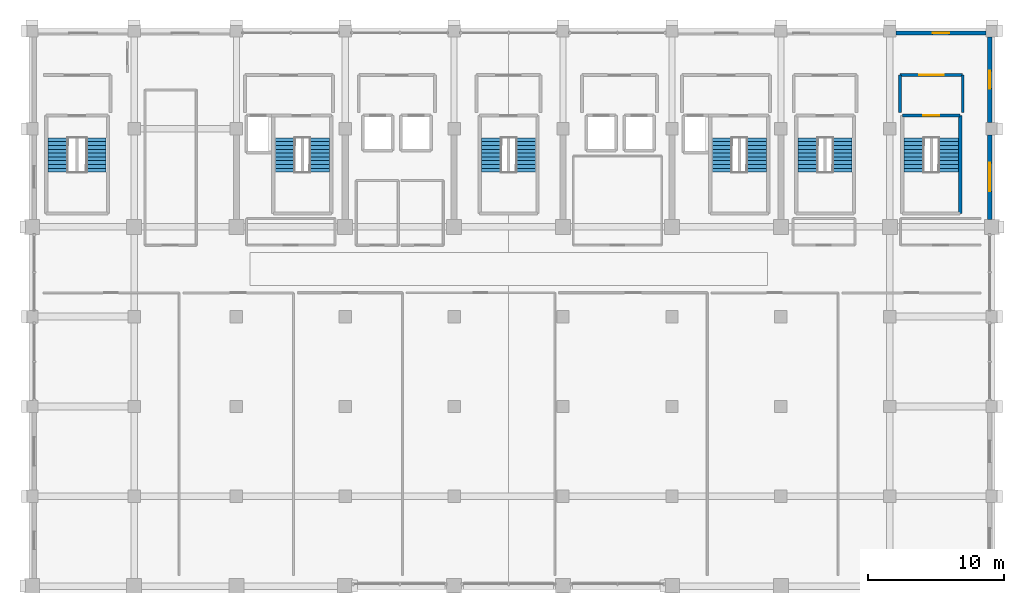
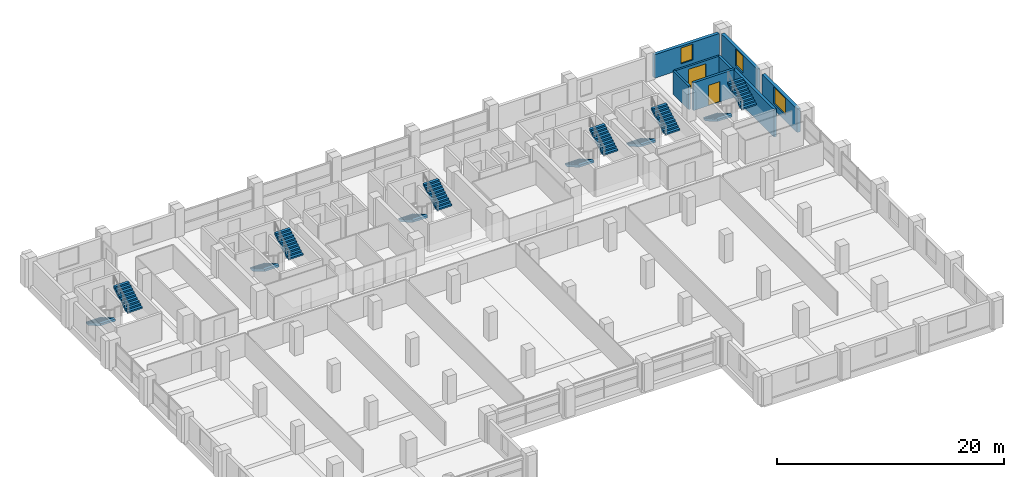
# One storey, part 20 of 22: 12 stair flights, 8 walls, 3 windows, 2 doors, 5 openings, 6 elements without a shape of their own.
"""IFC4 building model written with IfcOpenShell, lengths in metres."""

from ifc_helpers import new_model, si_unit, direction, frame, frame_2d, origin, place, context, subcontext, project, spatial, polyline, rectangle, outline, extrude, material, layer, layer_set, type_object, element, fill, aggregate, save


model = new_model("IFC4")

# Units and contexts
model_context = context("Model", 3, precision=1e-05, world=origin(), true_north=direction((0.0, 1.0)))
body_context = subcontext(model_context, "Body", "Model", "MODEL_VIEW")
ifc_project = project(units=[si_unit("LENGTHUNIT", "METRE"), si_unit("AREAUNIT", "SQUARE_METRE"), si_unit("VOLUMEUNIT", "CUBIC_METRE"), si_unit("PLANEANGLEUNIT", "RADIAN"), si_unit("MASSUNIT", "GRAM", prefix="KILO")], contexts=[model_context])

# Site, building, storey
site_placement = place(None, origin())
site = spatial("IfcSite", under=ifc_project, at=site_placement, CompositionType="ELEMENT")
building_placement = place(site_placement, origin())
building = spatial("IfcBuilding", under=site, at=building_placement, Name="Akrevak Sports Hall", CompositionType="ELEMENT")
storey_placement = place(building_placement, frame((0.0, 0.0, 30.800048828125)))
storey = spatial("IfcBuildingStorey", under=building, at=storey_placement, Name="L06", CompositionType="ELEMENT", Elevation=30.800048828125)

# Wall, opening, window
ifc_material_1 = material(Name="Limestone Ashlar", Category="stone")
ifc_layer_1 = layer(ifc_material_1, 0.070068359375, Name="Limestone Ashlar")
ifc_material_2 = material(Name="Mineral Wool Thermal Insulation", Category="insulation")
ifc_layer_2 = layer(ifc_material_2, 0.090087890625, Name="Mineral Wool Thermal Insulation")
ifc_material_3 = material(Name="Concrete C40/50", Category="concrete")
ifc_layer_3 = layer(ifc_material_3, 0.159912109375, Name="Concrete C40/50")
ifc_layer_set_1 = layer_set([ifc_layer_1, ifc_layer_2, ifc_layer_3], Name="Limestone Ashlar / Mineral Wool Thermal Insulation / Concrete C40/50")
wall_type_1 = type_object("IfcWallType", Name="ARC-WL-EXT-320", PredefinedType="SOLIDWALL", material=ifc_layer_set_1)
wall_1_placement = place(storey_placement, frame((115.340087890625, 55.75, 0.0), z_axis=(0.0, 0.0, 1.0), x_axis=(0.0, 1.0, 0.0)))
wall_1 = element("IfcWall", 1, at=wall_1_placement, inside=storey, type_object=wall_type_1, Name="Tower Stone Facade Wall L06-E17", PredefinedType="SOLIDWALL", context=body_context, shape_type="SweptSolid", body=[
    extrude(rectangle(XDim=6.199951171875, YDim=0.320068359375, at=frame_2d((3.10009765625, 0.0))), origin(), (0.0, 0.0, 1.0), 2.530029296875),
])
opening_1_placement = place(wall_1_placement, frame((2.050048828125, 0.0, 0.6201171875)))
opening_1 = element("IfcOpeningElement", 2, at=opening_1_placement, cuts=wall_1, Name="Opening WN-55", PredefinedType="OPENING", context=body_context, shape_type="SweptSolid", body=[
    extrude(rectangle(XDim=2.10009765625, YDim=1.81005859375, at=frame_2d((1.050048828125, 0.905029296875))), frame((0.0, 0.171875, 0.0), z_axis=(0.0, -1.0, 0.0), x_axis=(1.0, 0.0, 0.0)), (0.0, 0.0, 1.0), 0.343994140625),
])
ifc_material_4 = material(Name="Thermally Broken Bronze Frame & Double Low-E Glass", Category="glass")
window_type_1 = type_object("IfcWindowType", Name="ARC-WIN-SZ-2100x1810", PartitioningType="SINGLE_PANEL", PredefinedType="WINDOW", material=ifc_material_4)
window_1_placement = place(opening_1_placement, origin())
window_1 = element("IfcWindow", 3, at=window_1_placement, inside=storey, type_object=window_type_1, Name="Tower Window L06-E17", OverallHeight=1.81005859375, OverallWidth=2.10009765625, PartitioningType="SINGLE_PANEL", PredefinedType="WINDOW", context=body_context, shape_type="SweptSolid", body=[
    extrude(rectangle(XDim=2.10009765625, YDim=1.81005859375, at=frame_2d((1.050048828125, 0.905029296875))), frame((0.0, 0.030029296875, 0.0), z_axis=(0.0, -1.0, 0.0), x_axis=(1.0, 0.0, 0.0)), (0.0, 0.0, 1.0), 0.06005859375),
])
fill(opening_1, window_1)

wall_2_placement = place(storey_placement, frame((115.340087890625, 62.85009765625, 0.0), z_axis=(0.0, 0.0, 1.0), x_axis=(0.0, 1.0, 0.0)))
wall_2 = element("IfcWall", 4, at=wall_2_placement, inside=storey, type_object=wall_type_1, Name="Tower Stone Facade Wall L06-E18", PredefinedType="SOLIDWALL", context=body_context, shape_type="SweptSolid", body=[
    extrude(rectangle(XDim=6.2998046875, YDim=0.320068359375, at=frame_2d((3.14990234375, 0.0))), origin(), (0.0, 0.0, 1.0), 2.530029296875),
])
opening_2_placement = place(wall_2_placement, frame((2.5, 0.0, 0.6201171875)))
opening_2 = element("IfcOpeningElement", 5, at=opening_2_placement, cuts=wall_2, Name="Opening WN-12", PredefinedType="OPENING", context=body_context, shape_type="SweptSolid", body=[
    extrude(rectangle(XDim=1.300048828125, YDim=1.800048828125, at=frame_2d((0.64990234375, 0.89990234375))), frame((0.0, 0.171875, 0.0), z_axis=(0.0, -1.0, 0.0), x_axis=(1.0, 0.0, 0.0)), (0.0, 0.0, 1.0), 0.343994140625),
])
window_type_2 = type_object("IfcWindowType", Name="ARC-WIN-TW-130x180", PartitioningType="SINGLE_PANEL", PredefinedType="WINDOW", material=ifc_material_4)
window_2_placement = place(opening_2_placement, origin())
window_2 = element("IfcWindow", 6, at=window_2_placement, inside=storey, type_object=window_type_2, Name="Tower Window L06-E18", OverallHeight=1.800048828125, OverallWidth=1.300048828125, PartitioningType="SINGLE_PANEL", PredefinedType="WINDOW", context=body_context, shape_type="SweptSolid", body=[
    extrude(rectangle(XDim=1.300048828125, YDim=1.800048828125, at=frame_2d((0.64990234375, 0.89990234375))), frame((0.0, 0.030029296875, 0.0), z_axis=(0.0, -1.0, 0.0), x_axis=(1.0, 0.0, 0.0)), (0.0, 0.0, 1.0), 0.06005859375),
])
fill(opening_2, window_2)

wall_3_placement = place(storey_placement, frame((115.050048828125, 69.43994140625, 0.0), z_axis=(0.0, 0.0, 1.0), x_axis=(-1.0, 0.0, 0.0)))
wall_3 = element("IfcWall", 7, at=wall_3_placement, inside=storey, type_object=wall_type_1, Name="Tower Stone Facade Wall L06-N19", PredefinedType="SOLIDWALL", context=body_context, shape_type="SweptSolid", body=[
    extrude(rectangle(XDim=6.60009765625, YDim=0.320068359375, at=frame_2d((3.300048828125, 0.0))), origin(), (0.0, 0.0, 1.0), 2.530029296875),
])
opening_3_placement = place(wall_3_placement, frame((2.699951171875, 0.0, 0.6201171875)))
opening_3 = element("IfcOpeningElement", 8, at=opening_3_placement, cuts=wall_3, Name="Opening WN-13", PredefinedType="OPENING", context=body_context, shape_type="SweptSolid", body=[
    extrude(rectangle(XDim=1.199951171875, YDim=1.699951171875, at=frame_2d((0.60009765625, 0.85009765625))), frame((0.0, 0.171875, 0.0), z_axis=(0.0, -1.0, 0.0), x_axis=(1.0, 0.0, 0.0)), (0.0, 0.0, 1.0), 0.343994140625),
])
window_type_3 = type_object("IfcWindowType", Name="ARC-WIN-TW-120x170", PartitioningType="SINGLE_PANEL", PredefinedType="WINDOW", material=ifc_material_4)
window_3_placement = place(opening_3_placement, origin())
window_3 = element("IfcWindow", 9, at=window_3_placement, inside=storey, type_object=window_type_3, Name="Tower Window L06-N19", OverallHeight=1.699951171875, OverallWidth=1.199951171875, PartitioningType="SINGLE_PANEL", PredefinedType="WINDOW", context=body_context, shape_type="SweptSolid", body=[
    extrude(rectangle(XDim=1.199951171875, YDim=1.699951171875, at=frame_2d((0.60009765625, 0.85009765625))), frame((0.0, 0.030029296875, 0.0), z_axis=(0.0, -1.0, 0.0), x_axis=(1.0, 0.0, 0.0)), (0.0, 0.0, 1.0), 0.06005859375),
])
fill(opening_3, window_3)

# Wall, opening, door
ifc_material_5 = material(Name="Autoclaved Aerated Masonry Block", Category="masonry")
ifc_layer_4 = layer(ifc_material_5, 0.199951171875, Name="Autoclaved Aerated Masonry Block")
ifc_layer_set_2 = layer_set([ifc_layer_4], Name="Autoclaved Aerated Masonry Block")
wall_type_2 = type_object("IfcWallType", Name="ARC-WL-PRT-200", PredefinedType="PARTITIONING", material=ifc_layer_set_2)
wall_4_placement = place(storey_placement, frame((108.75, 66.35009765625, 0.0), z_axis=(0.0, 0.0, 1.0), x_axis=(1.0, 0.0, 0.0)))
wall_4 = element("IfcWall", 10, at=wall_4_placement, inside=storey, type_object=wall_type_2, Name="Interior Partition East Transfer Stair ST11 Vestibule L06 (N)", PredefinedType="PARTITIONING", context=body_context, shape_type="SweptSolid", body=[
    extrude(rectangle(XDim=4.60009765625, YDim=0.199951171875, at=frame_2d((2.300048828125, 0.0))), origin(), (0.0, 0.0, 1.0), 2.530029296875),
])
opening_4_placement = place(wall_4_placement, frame((1.39990234375, 0.0, 0.0)))
opening_4 = element("IfcOpeningElement", 11, at=opening_4_placement, cuts=wall_4, Name="Opening FD-02", PredefinedType="OPENING", context=body_context, shape_type="SweptSolid", body=[
    extrude(rectangle(XDim=1.800048828125, YDim=2.199951171875, at=frame_2d((0.89990234375, 1.10009765625))), frame((0.0, 0.11181640625, 0.0), z_axis=(0.0, -1.0, 0.0), x_axis=(1.0, 0.0, 0.0)), (0.0, 0.0, 1.0), 0.223876953125),
])
ifc_material_6 = material(Name="Fire-Rated Galvanized Door Steel", Category="steel")
door_type_1 = type_object("IfcDoorType", Name="ARC-DR-FIRE-180x220", OperationType="DOUBLE_DOOR_SINGLE_SWING", PredefinedType="DOOR", material=ifc_material_6)
door_1_placement = place(opening_4_placement, frame((1.800048828125, 0.0, 0.0), z_axis=(0.0, 0.0, 1.0), x_axis=(-1.0, 0.0, 0.0)))
door_1 = element("IfcDoor", 12, at=door_1_placement, inside=storey, type_object=door_type_1, Name="Door to East Transfer Stair ST11 Vestibule L06", OperationType="DOUBLE_DOOR_SINGLE_SWING", OverallHeight=2.199951171875, OverallWidth=1.800048828125, PredefinedType="DOOR", context=body_context, shape_type="SweptSolid", body=[
    extrude(rectangle(XDim=1.800048828125, YDim=2.199951171875, at=frame_2d((0.89990234375, 1.10009765625))), frame((0.0, 0.02490234375, 0.0), z_axis=(0.0, -1.0, 0.0), x_axis=(1.0, 0.0, 0.0)), (0.0, 0.0, 1.0), 0.050048828125),
])
fill(opening_4, door_1)

# Walls
for number, where, z_axis, x_axis, name in (
    (13, (108.75, 63.60009765625, 0.0), (0.0, 0.0, 1.0), (0.0, 1.0, 0.0), "Interior Partition East Transfer Stair ST11 Vestibule L06 (W)"),
    (14, (113.35009765625, 63.60009765625, 0.0), (0.0, 0.0, 1.0), (0.0, 1.0, 0.0), "Interior Partition East Transfer Stair ST11 Vestibule L06 (E)"),
):
    element("IfcWall", number, at=place(storey_placement, frame(where, z_axis=z_axis, x_axis=x_axis)), inside=storey, type_object=wall_type_2, Name=name, PredefinedType="PARTITIONING", context=body_context, shape_type="SweptSolid", body=[
        extrude(rectangle(XDim=2.75, YDim=0.199951171875, at=frame_2d((1.375, 0.0))), origin(), (0.0, 0.0, 1.0), 2.530029296875),
    ])

# Wall, opening, door
ifc_material_7 = material(Name="Concrete C50/60", Category="concrete")
ifc_layer_5 = layer(ifc_material_7, 0.25, Name="Concrete C50/60")
ifc_layer_set_3 = layer_set([ifc_layer_5], Name="Concrete C50/60")
wall_type_3 = type_object("IfcWallType", Name="STR-WL-STAIR-250", PredefinedType="SHEAR", material=ifc_layer_set_3)
wall_5_placement = place(storey_placement, frame((113.175048828125, 63.375, 0.0), z_axis=(0.0, 0.0, 1.0), x_axis=(-1.0, 0.0, 0.0)))
wall_5 = element("IfcWall", 15, at=wall_5_placement, inside=storey, type_object=wall_type_3, Name="Stair Core ST11 Shear Wall N (L06)", PredefinedType="SHEAR", context=body_context, shape_type="SweptSolid", body=[
    extrude(rectangle(XDim=4.25, YDim=0.25, at=frame_2d((2.125, 0.0))), origin(), (0.0, 0.0, 1.0), 3.0),
])
opening_5_placement = place(wall_5_placement, frame((1.52490234375, 0.0, 0.0)))
opening_5 = element("IfcOpeningElement", 16, at=opening_5_placement, cuts=wall_5, Name="Opening SD-02", PredefinedType="OPENING", context=body_context, shape_type="SweptSolid", body=[
    extrude(rectangle(XDim=1.199951171875, YDim=2.199951171875, at=frame_2d((0.60009765625, 1.10009765625))), frame((0.0, 0.136962890625, 0.0), z_axis=(0.0, -1.0, 0.0), x_axis=(1.0, 0.0, 0.0)), (0.0, 0.0, 1.0), 0.27392578125),
])
door_type_2 = type_object("IfcDoorType", Name="ARC-DR-STAIR-120x220", OperationType="NOTDEFINED", PredefinedType="DOOR", material=ifc_material_6)
door_2_placement = place(opening_5_placement, origin())
door_2 = element("IfcDoor", 17, at=door_2_placement, inside=storey, type_object=door_type_2, Name="Exit Stair ST11 Door (L06)", OperationType="SINGLE_SWING_RIGHT", OverallHeight=2.199951171875, OverallWidth=1.199951171875, PredefinedType="DOOR", context=body_context, shape_type="SweptSolid", body=[
    extrude(rectangle(XDim=1.199951171875, YDim=2.199951171875, at=frame_2d((0.60009765625, 1.10009765625))), frame((0.0, 0.02490234375, 0.0), z_axis=(0.0, -1.0, 0.0), x_axis=(1.0, 0.0, 0.0)), (0.0, 0.0, 1.0), 0.050048828125),
])
fill(opening_5, door_2)

# Wall
wall_6_placement = place(storey_placement, frame((113.175048828125, 56.175048828125, 0.0), z_axis=(0.0, 0.0, 1.0), x_axis=(0.0, 1.0, 0.0)))
element("IfcWall", 18, at=wall_6_placement, inside=storey, type_object=wall_type_3, Name="Stair Core ST11 Shear Wall E (L06)", PredefinedType="SHEAR", context=body_context, shape_type="SweptSolid", body=[
    extrude(rectangle(XDim=7.199951171875, YDim=0.25, at=frame_2d((3.60009765625, 0.0))), origin(), (0.0, 0.0, 1.0), 3.0),
])

# Stair, stair flights
stair_type_1 = type_object("IfcStairType", Name="ARC-STR-DOG-325", PredefinedType="HALF_TURN_STAIR", material=ifc_material_3)
stair_1_placement = place(storey_placement, origin())
stair_1 = element("IfcStair", 19, at=stair_1_placement, inside=storey, type_object=stair_type_1, Name="Protected Exit Stair ST1 (L06 to L07)", PredefinedType="HALF_TURN_STAIR")
stair_flight_type_1 = type_object("IfcStairFlightType", Name="ARC-FLT-165-163", PredefinedType="STRAIGHT", material=ifc_material_3)
stair_flight_1_placement = place(storey_placement, frame((63.610107421875, 61.735107421875, 0.0), z_axis=(0.0, 0.0, 1.0), x_axis=(0.0, -1.0, 0.0)))
stair_flight_1 = element("IfcStairFlight", 20, at=stair_flight_1_placement, type_object=stair_flight_type_1, Name="Stair ST1 Flight 1 (L06)", NumberOfRisers=10, NumberOfTreads=9, PredefinedType="STRAIGHT", RiserHeight=0.1625, TreadLength=0.28, context=body_context, shape_type="SweptSolid", body=[
    extrude(outline(polyline([(0.0, 0.0), (0.0, 0.16259765625), (0.280029296875, 0.16259765625), (0.280029296875, 0.324951171875), (0.56005859375, 0.324951171875), (0.56005859375, 0.487548828125), (0.840087890625, 0.487548828125), (0.840087890625, 0.64990234375), (1.1201171875, 0.64990234375), (1.1201171875, 0.8125), (1.39990234375, 0.8125), (1.39990234375, 0.97509765625), (1.679931640625, 0.97509765625), (1.679931640625, 1.137451171875), (1.9599609375, 1.137451171875), (1.9599609375, 1.300048828125), (2.239990234375, 1.300048828125), (2.239990234375, 1.46240234375), (2.52001953125, 1.46240234375), (2.52001953125, 1.625), (2.52001953125, 1.231201171875), (0.3984375, 0.0), (0.0, 0.0)])), frame((0.0, 0.75, 0.0), z_axis=(0.0, -1.0, 0.0), x_axis=(1.0, 0.0, 0.0)), (0.0, 0.0, 1.0), 1.5),
])
stair_flight_2_placement = place(storey_placement, frame((66.090087890625, 59.215087890625, 1.625), z_axis=(0.0, 0.0, 1.0), x_axis=(0.0, 1.0, 0.0)))
stair_flight_2 = element("IfcStairFlight", 21, at=stair_flight_2_placement, type_object=stair_flight_type_1, Name="Stair ST1 Flight 2 (L06)", NumberOfRisers=10, NumberOfTreads=9, PredefinedType="STRAIGHT", RiserHeight=0.1625, TreadLength=0.28, context=body_context, shape_type="SweptSolid", body=[
    extrude(outline(polyline([(0.0, 0.0), (0.0, 0.16259765625), (0.280029296875, 0.16259765625), (0.280029296875, 0.324951171875), (0.56005859375, 0.324951171875), (0.56005859375, 0.487548828125), (0.840087890625, 0.487548828125), (0.840087890625, 0.64990234375), (1.1201171875, 0.64990234375), (1.1201171875, 0.8125), (1.39990234375, 0.8125), (1.39990234375, 0.97509765625), (1.679931640625, 0.97509765625), (1.679931640625, 1.137451171875), (1.9599609375, 1.137451171875), (1.9599609375, 1.300048828125), (2.239990234375, 1.300048828125), (2.239990234375, 1.46240234375), (2.52001953125, 1.46240234375), (2.52001953125, 1.625), (2.52001953125, 1.231201171875), (0.3984375, 0.0), (0.0, 0.0)])), frame((0.0, 0.75, 0.0), z_axis=(0.0, -1.0, 0.0), x_axis=(1.0, 0.0, 0.0)), (0.0, 0.0, 1.0), 1.5),
])
aggregate(stair_1, [stair_flight_1, stair_flight_2])

stair_2_placement = place(storey_placement, origin())
stair_2 = element("IfcStair", 22, at=stair_2_placement, inside=storey, type_object=stair_type_1, Name="Protected Exit Stair ST2 (L06 to L07)", PredefinedType="HALF_TURN_STAIR")
stair_flight_3_placement = place(storey_placement, frame((95.7099609375, 61.735107421875, 0.0), z_axis=(0.0, 0.0, 1.0), x_axis=(0.0, -1.0, 0.0)))
stair_flight_3 = element("IfcStairFlight", 23, at=stair_flight_3_placement, type_object=stair_flight_type_1, Name="Stair ST2 Flight 1 (L06)", NumberOfRisers=10, NumberOfTreads=9, PredefinedType="STRAIGHT", RiserHeight=0.1625, TreadLength=0.28, context=body_context, shape_type="SweptSolid", body=[
    extrude(outline(polyline([(0.0, 0.0), (0.0, 0.16259765625), (0.280029296875, 0.16259765625), (0.280029296875, 0.324951171875), (0.56005859375, 0.324951171875), (0.56005859375, 0.487548828125), (0.840087890625, 0.487548828125), (0.840087890625, 0.64990234375), (1.1201171875, 0.64990234375), (1.1201171875, 0.8125), (1.39990234375, 0.8125), (1.39990234375, 0.97509765625), (1.679931640625, 0.97509765625), (1.679931640625, 1.137451171875), (1.9599609375, 1.137451171875), (1.9599609375, 1.300048828125), (2.239990234375, 1.300048828125), (2.239990234375, 1.46240234375), (2.52001953125, 1.46240234375), (2.52001953125, 1.625), (2.52001953125, 1.231201171875), (0.3984375, 0.0), (0.0, 0.0)])), frame((0.0, 0.75, 0.0), z_axis=(0.0, -1.0, 0.0), x_axis=(1.0, 0.0, 0.0)), (0.0, 0.0, 1.0), 1.5),
])
stair_flight_4_placement = place(storey_placement, frame((98.18994140625, 59.215087890625, 1.625), z_axis=(0.0, 0.0, 1.0), x_axis=(0.0, 1.0, 0.0)))
stair_flight_4 = element("IfcStairFlight", 24, at=stair_flight_4_placement, type_object=stair_flight_type_1, Name="Stair ST2 Flight 2 (L06)", NumberOfRisers=10, NumberOfTreads=9, PredefinedType="STRAIGHT", RiserHeight=0.1625, TreadLength=0.28, context=body_context, shape_type="SweptSolid", body=[
    extrude(outline(polyline([(0.0, 0.0), (0.0, 0.16259765625), (0.280029296875, 0.16259765625), (0.280029296875, 0.324951171875), (0.56005859375, 0.324951171875), (0.56005859375, 0.487548828125), (0.840087890625, 0.487548828125), (0.840087890625, 0.64990234375), (1.1201171875, 0.64990234375), (1.1201171875, 0.8125), (1.39990234375, 0.8125), (1.39990234375, 0.97509765625), (1.679931640625, 0.97509765625), (1.679931640625, 1.137451171875), (1.9599609375, 1.137451171875), (1.9599609375, 1.300048828125), (2.239990234375, 1.300048828125), (2.239990234375, 1.46240234375), (2.52001953125, 1.46240234375), (2.52001953125, 1.625), (2.52001953125, 1.231201171875), (0.3984375, 0.0), (0.0, 0.0)])), frame((0.0, 0.75, 0.0), z_axis=(0.0, -1.0, 0.0), x_axis=(1.0, 0.0, 0.0)), (0.0, 0.0, 1.0), 1.5),
])
aggregate(stair_2, [stair_flight_3, stair_flight_4])

stair_3_placement = place(storey_placement, origin())
stair_3 = element("IfcStair", 25, at=stair_3_placement, inside=storey, type_object=stair_type_1, Name="Protected Exit Stair ST3 (L06 to L07)", PredefinedType="HALF_TURN_STAIR")
stair_flight_5_placement = place(storey_placement, frame((78.760009765625, 61.735107421875, 0.0), z_axis=(0.0, 0.0, 1.0), x_axis=(0.0, -1.0, 0.0)))
stair_flight_5 = element("IfcStairFlight", 26, at=stair_flight_5_placement, type_object=stair_flight_type_1, Name="Stair ST3 Flight 1 (L06)", NumberOfRisers=10, NumberOfTreads=9, PredefinedType="STRAIGHT", RiserHeight=0.1625, TreadLength=0.28, context=body_context, shape_type="SweptSolid", body=[
    extrude(outline(polyline([(0.0, 0.0), (0.0, 0.16259765625), (0.280029296875, 0.16259765625), (0.280029296875, 0.324951171875), (0.56005859375, 0.324951171875), (0.56005859375, 0.487548828125), (0.840087890625, 0.487548828125), (0.840087890625, 0.64990234375), (1.1201171875, 0.64990234375), (1.1201171875, 0.8125), (1.39990234375, 0.8125), (1.39990234375, 0.97509765625), (1.679931640625, 0.97509765625), (1.679931640625, 1.137451171875), (1.9599609375, 1.137451171875), (1.9599609375, 1.300048828125), (2.239990234375, 1.300048828125), (2.239990234375, 1.46240234375), (2.52001953125, 1.46240234375), (2.52001953125, 1.625), (2.52001953125, 1.231201171875), (0.3984375, 0.0), (0.0, 0.0)])), frame((0.0, 0.75, 0.0), z_axis=(0.0, -1.0, 0.0), x_axis=(1.0, 0.0, 0.0)), (0.0, 0.0, 1.0), 1.5),
])
stair_flight_6_placement = place(storey_placement, frame((81.239990234375, 59.215087890625, 1.625), z_axis=(0.0, 0.0, 1.0), x_axis=(0.0, 1.0, 0.0)))
stair_flight_6 = element("IfcStairFlight", 27, at=stair_flight_6_placement, type_object=stair_flight_type_1, Name="Stair ST3 Flight 2 (L06)", NumberOfRisers=10, NumberOfTreads=9, PredefinedType="STRAIGHT", RiserHeight=0.1625, TreadLength=0.28, context=body_context, shape_type="SweptSolid", body=[
    extrude(outline(polyline([(0.0, 0.0), (0.0, 0.16259765625), (0.280029296875, 0.16259765625), (0.280029296875, 0.324951171875), (0.56005859375, 0.324951171875), (0.56005859375, 0.487548828125), (0.840087890625, 0.487548828125), (0.840087890625, 0.64990234375), (1.1201171875, 0.64990234375), (1.1201171875, 0.8125), (1.39990234375, 0.8125), (1.39990234375, 0.97509765625), (1.679931640625, 0.97509765625), (1.679931640625, 1.137451171875), (1.9599609375, 1.137451171875), (1.9599609375, 1.300048828125), (2.239990234375, 1.300048828125), (2.239990234375, 1.46240234375), (2.52001953125, 1.46240234375), (2.52001953125, 1.625), (2.52001953125, 1.231201171875), (0.3984375, 0.0), (0.0, 0.0)])), frame((0.0, 0.75, 0.0), z_axis=(0.0, -1.0, 0.0), x_axis=(1.0, 0.0, 0.0)), (0.0, 0.0, 1.0), 1.5),
])
aggregate(stair_3, [stair_flight_5, stair_flight_6])

stair_4_placement = place(storey_placement, origin())
stair_4 = element("IfcStair", 28, at=stair_4_placement, inside=storey, type_object=stair_type_1, Name="East Wing Exit Stair ST10 (L06 to L07)", PredefinedType="HALF_TURN_STAIR")
stair_flight_7_placement = place(storey_placement, frame((102.010009765625, 61.735107421875, 0.0), z_axis=(0.0, 0.0, 1.0), x_axis=(0.0, -1.0, 0.0)))
stair_flight_7 = element("IfcStairFlight", 29, at=stair_flight_7_placement, type_object=stair_flight_type_1, Name="Stair ST10 Flight 1 (L06)", NumberOfRisers=10, NumberOfTreads=9, PredefinedType="STRAIGHT", RiserHeight=0.1625, TreadLength=0.28, context=body_context, shape_type="SweptSolid", body=[
    extrude(outline(polyline([(0.0, 0.0), (0.0, 0.16259765625), (0.280029296875, 0.16259765625), (0.280029296875, 0.324951171875), (0.56005859375, 0.324951171875), (0.56005859375, 0.487548828125), (0.840087890625, 0.487548828125), (0.840087890625, 0.64990234375), (1.1201171875, 0.64990234375), (1.1201171875, 0.8125), (1.39990234375, 0.8125), (1.39990234375, 0.97509765625), (1.679931640625, 0.97509765625), (1.679931640625, 1.137451171875), (1.9599609375, 1.137451171875), (1.9599609375, 1.300048828125), (2.239990234375, 1.300048828125), (2.239990234375, 1.46240234375), (2.52001953125, 1.46240234375), (2.52001953125, 1.625), (2.52001953125, 1.231201171875), (0.3984375, 0.0), (0.0, 0.0)])), frame((0.0, 0.75, 0.0), z_axis=(0.0, -1.0, 0.0), x_axis=(1.0, 0.0, 0.0)), (0.0, 0.0, 1.0), 1.5),
])
stair_flight_8_placement = place(storey_placement, frame((104.489990234375, 59.215087890625, 1.625), z_axis=(0.0, 0.0, 1.0), x_axis=(0.0, 1.0, 0.0)))
stair_flight_8 = element("IfcStairFlight", 30, at=stair_flight_8_placement, type_object=stair_flight_type_1, Name="Stair ST10 Flight 2 (L06)", NumberOfRisers=10, NumberOfTreads=9, PredefinedType="STRAIGHT", RiserHeight=0.1625, TreadLength=0.28, context=body_context, shape_type="SweptSolid", body=[
    extrude(outline(polyline([(0.0, 0.0), (0.0, 0.16259765625), (0.280029296875, 0.16259765625), (0.280029296875, 0.324951171875), (0.56005859375, 0.324951171875), (0.56005859375, 0.487548828125), (0.840087890625, 0.487548828125), (0.840087890625, 0.64990234375), (1.1201171875, 0.64990234375), (1.1201171875, 0.8125), (1.39990234375, 0.8125), (1.39990234375, 0.97509765625), (1.679931640625, 0.97509765625), (1.679931640625, 1.137451171875), (1.9599609375, 1.137451171875), (1.9599609375, 1.300048828125), (2.239990234375, 1.300048828125), (2.239990234375, 1.46240234375), (2.52001953125, 1.46240234375), (2.52001953125, 1.625), (2.52001953125, 1.231201171875), (0.3984375, 0.0), (0.0, 0.0)])), frame((0.0, 0.75, 0.0), z_axis=(0.0, -1.0, 0.0), x_axis=(1.0, 0.0, 0.0)), (0.0, 0.0, 1.0), 1.5),
])
aggregate(stair_4, [stair_flight_7, stair_flight_8])

stair_5_placement = place(storey_placement, origin())
stair_5 = element("IfcStair", 31, at=stair_5_placement, inside=storey, type_object=stair_type_1, Name="East Transfer Exit Stair ST11 (L06 to L07)", PredefinedType="HALF_TURN_STAIR")
stair_flight_9_placement = place(storey_placement, frame((109.81005859375, 61.735107421875, 0.0), z_axis=(0.0, 0.0, 1.0), x_axis=(0.0, -1.0, 0.0)))
stair_flight_9 = element("IfcStairFlight", 32, at=stair_flight_9_placement, type_object=stair_flight_type_1, Name="Stair ST11 Flight 1 (L06)", NumberOfRisers=10, NumberOfTreads=9, PredefinedType="STRAIGHT", RiserHeight=0.1625, TreadLength=0.28, context=body_context, shape_type="SweptSolid", body=[
    extrude(outline(polyline([(0.0, 0.0), (0.0, 0.16259765625), (0.280029296875, 0.16259765625), (0.280029296875, 0.324951171875), (0.56005859375, 0.324951171875), (0.56005859375, 0.487548828125), (0.840087890625, 0.487548828125), (0.840087890625, 0.64990234375), (1.1201171875, 0.64990234375), (1.1201171875, 0.8125), (1.39990234375, 0.8125), (1.39990234375, 0.97509765625), (1.679931640625, 0.97509765625), (1.679931640625, 1.137451171875), (1.9599609375, 1.137451171875), (1.9599609375, 1.300048828125), (2.239990234375, 1.300048828125), (2.239990234375, 1.46240234375), (2.52001953125, 1.46240234375), (2.52001953125, 1.625), (2.52001953125, 1.231201171875), (0.3984375, 0.0), (0.0, 0.0)])), frame((0.0, 0.75, 0.0), z_axis=(0.0, -1.0, 0.0), x_axis=(1.0, 0.0, 0.0)), (0.0, 0.0, 1.0), 1.5),
])
stair_flight_10_placement = place(storey_placement, frame((112.2900390625, 59.215087890625, 1.625), z_axis=(0.0, 0.0, 1.0), x_axis=(0.0, 1.0, 0.0)))
stair_flight_10 = element("IfcStairFlight", 33, at=stair_flight_10_placement, type_object=stair_flight_type_1, Name="Stair ST11 Flight 2 (L06)", NumberOfRisers=10, NumberOfTreads=9, PredefinedType="STRAIGHT", RiserHeight=0.1625, TreadLength=0.28, context=body_context, shape_type="SweptSolid", body=[
    extrude(outline(polyline([(0.0, 0.0), (0.0, 0.16259765625), (0.280029296875, 0.16259765625), (0.280029296875, 0.324951171875), (0.56005859375, 0.324951171875), (0.56005859375, 0.487548828125), (0.840087890625, 0.487548828125), (0.840087890625, 0.64990234375), (1.1201171875, 0.64990234375), (1.1201171875, 0.8125), (1.39990234375, 0.8125), (1.39990234375, 0.97509765625), (1.679931640625, 0.97509765625), (1.679931640625, 1.137451171875), (1.9599609375, 1.137451171875), (1.9599609375, 1.300048828125), (2.239990234375, 1.300048828125), (2.239990234375, 1.46240234375), (2.52001953125, 1.46240234375), (2.52001953125, 1.625), (2.52001953125, 1.231201171875), (0.3984375, 0.0), (0.0, 0.0)])), frame((0.0, 0.75, 0.0), z_axis=(0.0, -1.0, 0.0), x_axis=(1.0, 0.0, 0.0)), (0.0, 0.0, 1.0), 1.5),
])
aggregate(stair_5, [stair_flight_9, stair_flight_10])

stair_type_2 = type_object("IfcStairType", Name="ARC-STR-MDOG-325", PredefinedType="HALF_TURN_STAIR", material=ifc_material_3)
stair_6_placement = place(storey_placement, origin())
stair_6 = element("IfcStair", 34, at=stair_6_placement, inside=storey, type_object=stair_type_2, Name="Protected Exit Stair ST4 (L06 to L07)", PredefinedType="HALF_TURN_STAIR")
stair_flight_type_2 = type_object("IfcStairFlightType", Name="ARC-FLT-200-163", PredefinedType="STRAIGHT", material=ifc_material_3)
stair_flight_11_placement = place(storey_placement, frame((46.9150390625, 61.735107421875, 0.0), z_axis=(0.0, 0.0, 1.0), x_axis=(0.0, -1.0, 0.0)))
stair_flight_11 = element("IfcStairFlight", 35, at=stair_flight_11_placement, type_object=stair_flight_type_2, Name="Stair ST4 Flight 1 (L06)", NumberOfRisers=10, NumberOfTreads=9, PredefinedType="STRAIGHT", RiserHeight=0.1625, TreadLength=0.28, context=body_context, shape_type="SweptSolid", body=[
    extrude(outline(polyline([(0.0, 0.0), (0.0, 0.16259765625), (0.280029296875, 0.16259765625), (0.280029296875, 0.324951171875), (0.56005859375, 0.324951171875), (0.56005859375, 0.487548828125), (0.840087890625, 0.487548828125), (0.840087890625, 0.64990234375), (1.1201171875, 0.64990234375), (1.1201171875, 0.8125), (1.39990234375, 0.8125), (1.39990234375, 0.97509765625), (1.679931640625, 0.97509765625), (1.679931640625, 1.137451171875), (1.9599609375, 1.137451171875), (1.9599609375, 1.300048828125), (2.239990234375, 1.300048828125), (2.239990234375, 1.46240234375), (2.52001953125, 1.46240234375), (2.52001953125, 1.625), (2.52001953125, 1.231201171875), (0.3984375, 0.0), (0.0, 0.0)])), frame((0.0, 0.7548828125, 0.0), z_axis=(0.0, -1.0, 0.0), x_axis=(1.0, 0.0, 0.0)), (0.0, 0.0, 1.0), 1.510009765625),
])
stair_flight_12_placement = place(storey_placement, frame((49.68505859375, 59.215087890625, 1.625), z_axis=(0.0, 0.0, 1.0), x_axis=(0.0, 1.0, 0.0)))
stair_flight_12 = element("IfcStairFlight", 36, at=stair_flight_12_placement, type_object=stair_flight_type_2, Name="Stair ST4 Flight 2 (L06)", NumberOfRisers=10, NumberOfTreads=9, PredefinedType="STRAIGHT", RiserHeight=0.1625, TreadLength=0.28, context=body_context, shape_type="SweptSolid", body=[
    extrude(outline(polyline([(0.0, 0.0), (0.0, 0.16259765625), (0.280029296875, 0.16259765625), (0.280029296875, 0.324951171875), (0.56005859375, 0.324951171875), (0.56005859375, 0.487548828125), (0.840087890625, 0.487548828125), (0.840087890625, 0.64990234375), (1.1201171875, 0.64990234375), (1.1201171875, 0.8125), (1.39990234375, 0.8125), (1.39990234375, 0.97509765625), (1.679931640625, 0.97509765625), (1.679931640625, 1.137451171875), (1.9599609375, 1.137451171875), (1.9599609375, 1.300048828125), (2.239990234375, 1.300048828125), (2.239990234375, 1.46240234375), (2.52001953125, 1.46240234375), (2.52001953125, 1.625), (2.52001953125, 1.231201171875), (0.3984375, 0.0), (0.0, 0.0)])), frame((0.0, 0.7548828125, 0.0), z_axis=(0.0, -1.0, 0.0), x_axis=(1.0, 0.0, 0.0)), (0.0, 0.0, 1.0), 1.510009765625),
])
aggregate(stair_6, [stair_flight_11, stair_flight_12])

save(model, "model.ifc")
